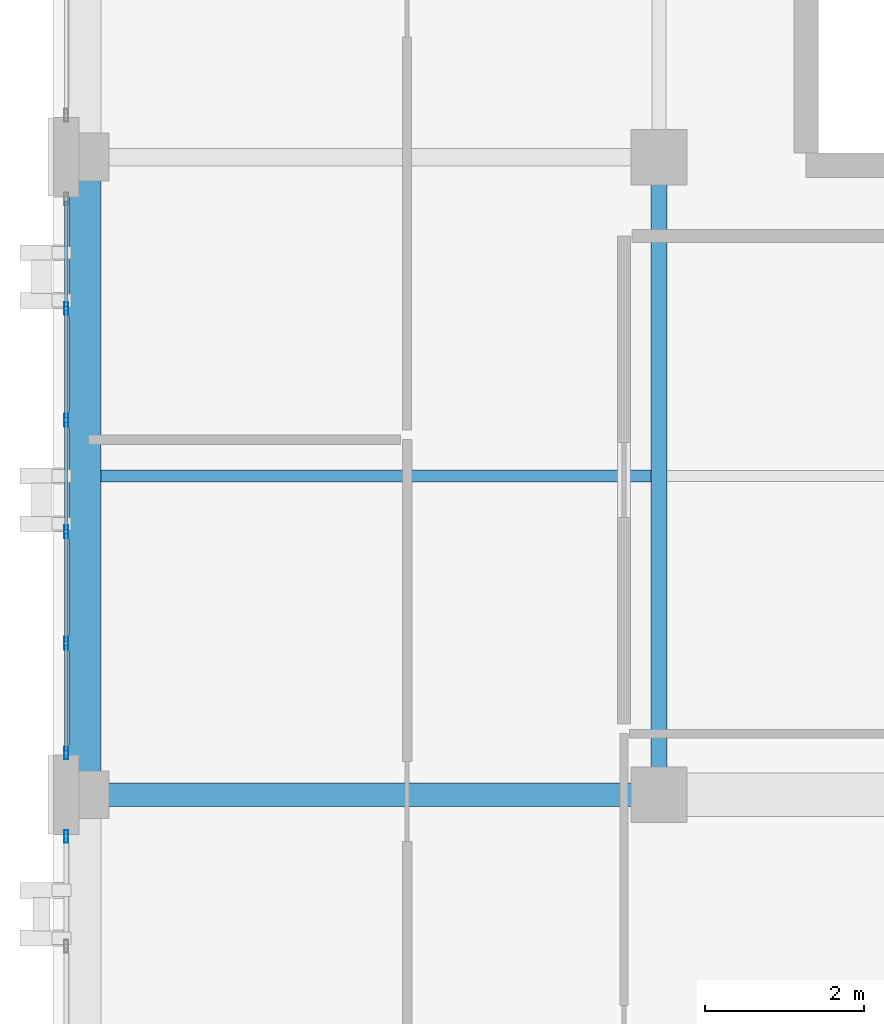
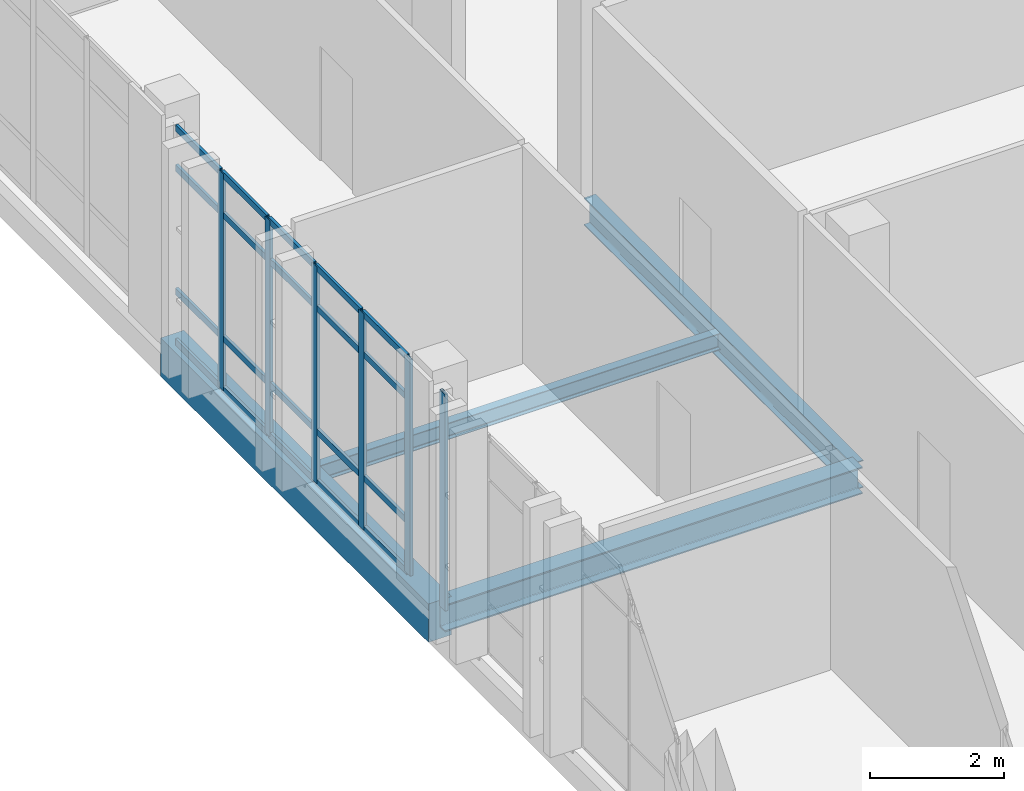
# One storey, part 8 of 19: 26 members, 4 beams, 2 elements without a shape of their own.
"""IFC4 building model written with IfcOpenShell, lengths in metres."""

import ifcopenshell
import ifcopenshell.guid

model = None  # the IFC model being written
_history = None  # IfcOwnerHistory: only IFC2X3 demands one
_inside = {}  # id of a spatial element -> (the spatial element, [elements in it])
_under = {}  # id of a project, library or spatial element -> (it, [spatial elements below it])
_declared = {}  # id of a project -> (the project, [libraries it declares])
_typed = {}  # id of a type object -> (the type object, [elements of that type])
_made_of = {}  # id of a material, layer set ... -> (it, [elements and type objects made of it])


def new_model(schema):
    """Start an empty IFC model of exactly this schema.

    Asked for "IFC4X3", IfcOpenShell would pick the latest addendum, in which some entities
    have other attributes; the version numbers below select the first issue.
    IFC2X3 requires an IfcOwnerHistory on every rooted entity: one is made here for all.
    """
    global model, _history
    if schema == "IFC4X3":
        model = ifcopenshell.file(schema_version=(4, 3, 0, 0))
    else:
        model = ifcopenshell.file(schema=schema)
    _inside.clear()
    _under.clear()
    _declared.clear()
    _typed.clear()
    _made_of.clear()
    _history = None
    if model.schema == "IFC2X3":
        org = make("IfcOrganization", Name="unknown")
        user = make(
            "IfcPersonAndOrganization",
            ThePerson=make("IfcPerson", FamilyName="unknown"),
            TheOrganization=org,
        )
        app = make(
            "IfcApplication",
            ApplicationDeveloper=org,
            Version="unknown",
            ApplicationFullName="unknown",
            ApplicationIdentifier="unknown",
        )
        _history = make(
            "IfcOwnerHistory",
            OwningUser=user,
            OwningApplication=app,
            ChangeAction="ADDED",
            CreationDate=0,
        )
    return model


def make(cls, **values):
    """One entity of the class cls with the attributes given. An attribute that is None is left unset."""
    return model.create_entity(
        cls, **{name: value for name, value in values.items() if value is not None}
    )


def rooted(cls, **values):
    """An entity with a GlobalId (a new one), such as an element, a storey or a relation."""
    return make(cls, GlobalId=ifcopenshell.guid.new(), OwnerHistory=_history, **values)


def si_unit(unit_type, name, prefix=None):
    """IfcSIUnit, for example si_unit("LENGTHUNIT", "METRE", prefix="MILLI")."""
    return make("IfcSIUnit", UnitType=unit_type, Prefix=prefix, Name=name)


def assignment(units):
    """IfcUnitAssignment: the units of a project."""
    return None if units is None else make("IfcUnitAssignment", Units=units)


def point(xyz):
    """IfcCartesianPoint."""
    return None if xyz is None else make("IfcCartesianPoint", Coordinates=xyz)


def direction(xyz):
    """IfcDirection."""
    return None if xyz is None else make("IfcDirection", DirectionRatios=xyz)


def frame(location, z_axis=None, x_axis=None):
    """IfcAxis2Placement3D, a coordinate frame: its origin and axes. An axis left out is left unset."""
    return make(
        "IfcAxis2Placement3D",
        Location=point(location),
        Axis=direction(z_axis),
        RefDirection=direction(x_axis),
    )


def frame_2d(location, x_axis=None):
    """IfcAxis2Placement2D, a coordinate frame in the plane: its origin and x axis."""
    return make(
        "IfcAxis2Placement2D", Location=point(location), RefDirection=direction(x_axis)
    )


def origin():
    """The frame at (0, 0, 0) with its axes left unset."""
    return frame((0.0, 0.0, 0.0))


def origin_2d():
    """The frame at (0, 0) in the plane with its x axis left unset."""
    return frame_2d((0.0, 0.0))


def place(relative_to, where):
    """IfcLocalPlacement: puts the frame where relative to a parent placement (None: the world)."""
    return make(
        "IfcLocalPlacement", PlacementRelTo=relative_to, RelativePlacement=where
    )


def context(
    kind, dimensions, precision=None, world=None, true_north=None, identifier=None
):
    """IfcGeometricRepresentationContext, for example the 3D "Model" context."""
    return make(
        "IfcGeometricRepresentationContext",
        ContextIdentifier=identifier,
        ContextType=kind,
        CoordinateSpaceDimension=dimensions,
        Precision=precision,
        WorldCoordinateSystem=world,
        TrueNorth=true_north,
    )


def subcontext(parent, identifier, kind, view, scale=None):
    """IfcGeometricRepresentationSubContext, for example "Body" below "Model"."""
    return make(
        "IfcGeometricRepresentationSubContext",
        ContextIdentifier=identifier,
        ContextType=kind,
        ParentContext=parent,
        TargetScale=scale,
        TargetView=view,
    )


def project(units=None, contexts=None):
    """IfcProject with its units and contexts."""
    return rooted(
        "IfcProject",
        Name="project",
        RepresentationContexts=contexts,
        UnitsInContext=assignment(units),
    )


def spatial(cls, under=None, at=None, **own):
    """A site, building, storey or space (cls), placed at a placement, below another one or the project."""
    s = rooted(cls, ObjectPlacement=at, **own)
    if under is not None:
        _under.setdefault(under.id(), (under, []))[1].append(s)
    return s


def profile(cls, at=None, kind="AREA", **sizes):
    """A parametric profile (cls). Its sizes go by their IFC names, for example OverallWidth=200.0."""
    return make(cls, ProfileType=kind, Position=at, **sizes)


def rectangle(**sizes):
    """IfcRectangleProfileDef."""
    return profile("IfcRectangleProfileDef", **sizes)


def hollow_rectangle(**sizes):
    """IfcRectangleHollowProfileDef."""
    return profile("IfcRectangleHollowProfileDef", **sizes)


def i_section(**sizes):
    """IfcIShapeProfileDef."""
    return profile("IfcIShapeProfileDef", **sizes)


def extrude(swept, where, along, depth):
    """IfcExtrudedAreaSolid: the profile swept, set in the frame where, extruded along a direction by depth."""
    return make(
        "IfcExtrudedAreaSolid",
        SweptArea=swept,
        Position=where,
        ExtrudedDirection=direction(along),
        Depth=depth,
    )


def shape(context_of_items, identifier, shape_type, items):
    """IfcShapeRepresentation: the items that make up one representation, for example the "Body"."""
    return make(
        "IfcShapeRepresentation",
        ContextOfItems=context_of_items,
        RepresentationIdentifier=identifier,
        RepresentationType=shape_type,
        Items=items,
    )


def material(Name=None, Category=None):
    """IfcMaterial."""
    return make("IfcMaterial", Name=Name, Category=Category)


def layer(
    of_material, thickness, ventilated=None, Name=None, Category=None, Priority=None
):
    """IfcMaterialLayer: one layer of a wall or slab, of a material (None: an air gap)."""
    return make(
        "IfcMaterialLayer",
        Material=of_material,
        LayerThickness=thickness,
        IsVentilated=ventilated,
        Name=Name,
        Category=Category,
        Priority=Priority,
    )


def layer_set(layers, Name=None):
    """IfcMaterialLayerSet."""
    return make("IfcMaterialLayerSet", MaterialLayers=layers, LayerSetName=Name)


def material_profile(
    of_material, cross_section, Name=None, Category=None, Priority=None
):
    """IfcMaterialProfile: a cross section and its material."""
    return make(
        "IfcMaterialProfile",
        Name=Name,
        Material=of_material,
        Profile=cross_section,
        Priority=Priority,
        Category=Category,
    )


def profile_set(profiles, Name=None, composite=None):
    """IfcMaterialProfileSet."""
    return make(
        "IfcMaterialProfileSet",
        Name=Name,
        MaterialProfiles=profiles,
        CompositeProfile=composite,
    )


def made_of(thing, what):
    """Note that an element or type object is made of a material, layer set ...; save() writes the relation."""
    if what is not None:
        _made_of.setdefault(what.id(), (what, []))[1].append(thing)
    return thing


def type_object(cls, material=None, **own):
    """A type object (cls), such as IfcWallType, which elements share."""
    return made_of(rooted(cls, **own), material)


def element(
    cls,
    number,
    at=None,
    inside=None,
    cuts=None,
    type_object=None,
    material=None,
    context=None,
    identifier="Body",
    shape_type=None,
    held_by="IfcProductDefinitionShape",
    body=None,
    shapes=None,
    **own,
):
    """One element of the class cls, such as IfcWall. Its Tag is "e" and its number.

    at: its placement. inside: the storey or other place that contains it. cuts: it is an
    opening in that element (IfcRelVoidsElement). A single representation is given by context,
    identifier, shape_type and body (its items); several are given by shapes. held_by: the class
    of the entity that holds the representations. save() writes the other relations.
    """
    e = rooted(cls, Tag="e%d" % number, ObjectPlacement=at, **own)
    if body is not None:
        shapes = [shape(context, identifier, shape_type, body)]
    if shapes is not None:
        e.Representation = make(held_by, Representations=shapes)
    if inside is not None:
        _inside.setdefault(inside.id(), (inside, []))[1].append(e)
    if cuts is not None:
        rooted(
            "IfcRelVoidsElement", RelatingBuildingElement=cuts, RelatedOpeningElement=e
        )
    if type_object is not None:
        _typed.setdefault(type_object.id(), (type_object, []))[1].append(e)
    return made_of(e, material)


def aggregate(whole, parts):
    """IfcRelAggregates: a whole, such as a stair, and the parts it consists of."""
    return rooted("IfcRelAggregates", RelatingObject=whole, RelatedObjects=parts)


def save(model, path):
    """Write the relations noted so far, then the file.

    IfcRelAggregates (storeys below a building ...), IfcRelContainedInSpatialStructure (elements
    in a storey), IfcRelDefinesByType, IfcRelAssociatesMaterial and IfcRelDeclares: one each for
    every whole, place, type object, material and project.
    """
    for whole, parts in _under.values():
        aggregate(whole, parts)
    for where, things in _inside.values():
        rooted(
            "IfcRelContainedInSpatialStructure",
            RelatedElements=things,
            RelatingStructure=where,
        )
    for kind, things in _typed.values():
        rooted("IfcRelDefinesByType", RelatedObjects=things, RelatingType=kind)
    for what, things in _made_of.values():
        rooted("IfcRelAssociatesMaterial", RelatedObjects=things, RelatingMaterial=what)
    for by, libraries in _declared.values():
        rooted("IfcRelDeclares", RelatingContext=by, RelatedDefinitions=libraries)
    model.write(path)


model = new_model("IFC4")

# Units and contexts
model_context = context("Model", 3, precision=1e-05, world=origin(), true_north=direction((0.0, 1.0)))
body_context = subcontext(model_context, "Body", "Model", "MODEL_VIEW")
ifc_project = project(units=[si_unit("LENGTHUNIT", "METRE"), si_unit("AREAUNIT", "SQUARE_METRE"), si_unit("VOLUMEUNIT", "CUBIC_METRE"), si_unit("PLANEANGLEUNIT", "RADIAN"), si_unit("MASSUNIT", "GRAM", prefix="KILO")], contexts=[model_context])

# Site, building, storey
site_placement = place(None, origin())
site = spatial("IfcSite", under=ifc_project, at=site_placement, CompositionType="ELEMENT")
building_placement = place(site_placement, origin())
building = spatial("IfcBuilding", under=site, at=building_placement, Name="Qalavern Law Courts", CompositionType="ELEMENT")
storey_placement = place(building_placement, frame((0.0, 0.0, 39.60009765625)))
storey = spatial("IfcBuildingStorey", under=building, at=storey_placement, Name="L09", CompositionType="ELEMENT", Elevation=39.60009765625)

# Curtain wall, members
ifc_material_1 = material(Name="Anodised aluminium and insulated glazing", Category="aluminium")
ifc_layer = layer(ifc_material_1, 0.159912109375)
ifc_layer_set = layer_set([ifc_layer], Name="Anodised aluminium and insulated glazing")
curtain_wall_type = type_object("IfcCurtainWallType", Name="ENV-CW-CHAMB", PredefinedType="USERDEFINED", material=ifc_layer_set)
curtain_wall_1_placement = place(storey_placement, origin())
curtain_wall_1 = element("IfcCurtainWall", 1, at=curtain_wall_1_placement, inside=storey, type_object=curtain_wall_type, Name="V4 unitised curtain wall L09 west 2", ObjectType="UNITISED CURTAIN WALL", PredefinedType="USERDEFINED")
ifc_material_2 = material(Name="Anodised aluminium", Category="aluminium")
ifc_material_profile_1 = material_profile(ifc_material_2, hollow_rectangle(XDim=0.048095703125, YDim=0.159912109375, WallThickness=0.00390625, at=origin_2d()), Name="ALU MULLION 48x160")
ifc_profile_set_1 = profile_set([ifc_material_profile_1], Name="Anodised aluminium")
member_type_1 = type_object("IfcMemberType", Name="ENV-CWM-48x160", PredefinedType="MULLION", material=ifc_profile_set_1)
member_1_placement = place(storey_placement, frame((84.362548828125, 63.5, 0.0), z_axis=(0.0, 0.0, 1.0), x_axis=(1.0, 0.0, 0.0)))
member_1 = element("IfcMember", 2, at=member_1_placement, type_object=member_type_1, Name="CW-04 mullion 2", PredefinedType="MULLION", context=body_context, shape_type="SweptSolid", body=[
    extrude(hollow_rectangle(XDim=0.048095703125, YDim=0.159912109375, WallThickness=0.00390625, at=origin_2d()), origin(), (0.0, 0.0, 1.0), 3.949951171875),
])
member_2_placement = place(storey_placement, frame((84.362548828125, 62.10009765625, 0.0), z_axis=(0.0, 0.0, 1.0), x_axis=(1.0, 0.0, 0.0)))
member_2 = element("IfcMember", 3, at=member_2_placement, type_object=member_type_1, Name="CW-04 mullion 3", PredefinedType="MULLION", context=body_context, shape_type="SweptSolid", body=[
    extrude(hollow_rectangle(XDim=0.048095703125, YDim=0.159912109375, WallThickness=0.00390625, at=origin_2d()), origin(), (0.0, 0.0, 1.0), 3.949951171875),
])
member_3_placement = place(storey_placement, frame((84.362548828125, 60.699951171875, 0.0), z_axis=(0.0, 0.0, 1.0), x_axis=(1.0, 0.0, 0.0)))
member_3 = element("IfcMember", 4, at=member_3_placement, type_object=member_type_1, Name="CW-04 mullion 4", PredefinedType="MULLION", context=body_context, shape_type="SweptSolid", body=[
    extrude(hollow_rectangle(XDim=0.048095703125, YDim=0.159912109375, WallThickness=0.00390625, at=origin_2d()), origin(), (0.0, 0.0, 1.0), 3.949951171875),
])
member_4_placement = place(storey_placement, frame((84.362548828125, 59.300048828125, 0.0), z_axis=(0.0, 0.0, 1.0), x_axis=(1.0, 0.0, 0.0)))
member_4 = element("IfcMember", 5, at=member_4_placement, type_object=member_type_1, Name="CW-04 mullion 5", PredefinedType="MULLION", context=body_context, shape_type="SweptSolid", body=[
    extrude(hollow_rectangle(XDim=0.048095703125, YDim=0.159912109375, WallThickness=0.00390625, at=origin_2d()), origin(), (0.0, 0.0, 1.0), 3.949951171875),
])
member_5_placement = place(storey_placement, frame((84.362548828125, 57.924072265625, 0.0), z_axis=(0.0, 0.0, 1.0), x_axis=(1.0, 0.0, 0.0)))
member_5 = element("IfcMember", 6, at=member_5_placement, type_object=member_type_1, Name="CW-04 mullion 6", PredefinedType="MULLION", context=body_context, shape_type="SweptSolid", body=[
    extrude(hollow_rectangle(XDim=0.048095703125, YDim=0.159912109375, WallThickness=0.00390625, at=origin_2d()), origin(), (0.0, 0.0, 1.0), 3.949951171875),
])

# Curtain wall, member
curtain_wall_2_placement = place(storey_placement, origin())
curtain_wall_2 = element("IfcCurtainWall", 7, at=curtain_wall_2_placement, inside=storey, type_object=curtain_wall_type, Name="V4 unitised curtain wall L09 west 3", ObjectType="UNITISED CURTAIN WALL", PredefinedType="USERDEFINED")
member_6_placement = place(storey_placement, frame((84.362548828125, 56.8759765625, 0.0), z_axis=(0.0, 0.0, 1.0), x_axis=(1.0, 0.0, 0.0)))
member_6 = element("IfcMember", 8, at=member_6_placement, type_object=member_type_1, Name="CW-04 mullion 1", PredefinedType="MULLION", context=body_context, shape_type="SweptSolid", body=[
    extrude(hollow_rectangle(XDim=0.048095703125, YDim=0.159912109375, WallThickness=0.00390625, at=origin_2d()), origin(), (0.0, 0.0, 1.0), 3.949951171875),
])
aggregate(curtain_wall_2, [member_6])

# Member
ifc_material_profile_2 = material_profile(ifc_material_2, hollow_rectangle(XDim=0.048095703125, YDim=0.1201171875, WallThickness=0.00390625, at=origin_2d()), Name="ALU TRANSOM 48x120")
ifc_profile_set_2 = profile_set([ifc_material_profile_2], Name="Anodised aluminium")
member_type_2 = type_object("IfcMemberType", Name="ENV-CWT-48x120", PredefinedType="USERDEFINED", material=ifc_profile_set_2)
member_7_placement = place(storey_placement, frame((84.362548828125, 64.85205078125, 0.02392578125), z_axis=(0.0, -1.0, 0.0), x_axis=(1.0, 0.0, 0.0)))
member_7 = element("IfcMember", 9, at=member_7_placement, type_object=member_type_2, Name="CW-04 transom 1.1", ObjectType="TRANSOM", PredefinedType="USERDEFINED", context=body_context, shape_type="SweptSolid", body=[
    extrude(hollow_rectangle(XDim=0.048095703125, YDim=0.1201171875, WallThickness=0.00390625, at=origin_2d()), origin(), (0.0, 0.0, 1.0), 1.328125),
])

member_8_placement = place(storey_placement, frame((84.362548828125, 64.85205078125, 0.949951171875), z_axis=(0.0, -1.0, 0.0), x_axis=(1.0, 0.0, 0.0)))
member_8 = element("IfcMember", 10, at=member_8_placement, type_object=member_type_2, Name="CW-04 transom 1.2", ObjectType="TRANSOM", PredefinedType="USERDEFINED", context=body_context, shape_type="SweptSolid", body=[
    extrude(hollow_rectangle(XDim=0.048095703125, YDim=0.1201171875, WallThickness=0.00390625, at=origin_2d()), origin(), (0.0, 0.0, 1.0), 1.328125),
])

member_9_placement = place(storey_placement, frame((84.362548828125, 64.85205078125, 3.199951171875), z_axis=(0.0, -1.0, 0.0), x_axis=(1.0, 0.0, 0.0)))
member_9 = element("IfcMember", 11, at=member_9_placement, type_object=member_type_2, Name="CW-04 transom 1.3", ObjectType="TRANSOM", PredefinedType="USERDEFINED", context=body_context, shape_type="SweptSolid", body=[
    extrude(hollow_rectangle(XDim=0.048095703125, YDim=0.1201171875, WallThickness=0.00390625, at=origin_2d()), origin(), (0.0, 0.0, 1.0), 1.328125),
])

member_10_placement = place(storey_placement, frame((84.362548828125, 64.85205078125, 3.92578125), z_axis=(0.0, -1.0, 0.0), x_axis=(1.0, 0.0, 0.0)))
member_10 = element("IfcMember", 12, at=member_10_placement, type_object=member_type_2, Name="CW-04 transom 1.4", ObjectType="TRANSOM", PredefinedType="USERDEFINED", context=body_context, shape_type="SweptSolid", body=[
    extrude(hollow_rectangle(XDim=0.048095703125, YDim=0.1201171875, WallThickness=0.00390625, at=origin_2d()), origin(), (0.0, 0.0, 1.0), 1.328125),
])

member_11_placement = place(storey_placement, frame((84.362548828125, 63.47607421875, 0.02392578125), z_axis=(0.0, -1.0, 0.0), x_axis=(1.0, 0.0, 0.0)))
member_11 = element("IfcMember", 13, at=member_11_placement, type_object=member_type_2, Name="CW-04 transom 2.1", ObjectType="TRANSOM", PredefinedType="USERDEFINED", context=body_context, shape_type="SweptSolid", body=[
    extrude(hollow_rectangle(XDim=0.048095703125, YDim=0.1201171875, WallThickness=0.00390625, at=origin_2d()), origin(), (0.0, 0.0, 1.0), 1.35205078125),
])

member_12_placement = place(storey_placement, frame((84.362548828125, 63.47607421875, 0.949951171875), z_axis=(0.0, -1.0, 0.0), x_axis=(1.0, 0.0, 0.0)))
member_12 = element("IfcMember", 14, at=member_12_placement, type_object=member_type_2, Name="CW-04 transom 2.2", ObjectType="TRANSOM", PredefinedType="USERDEFINED", context=body_context, shape_type="SweptSolid", body=[
    extrude(hollow_rectangle(XDim=0.048095703125, YDim=0.1201171875, WallThickness=0.00390625, at=origin_2d()), origin(), (0.0, 0.0, 1.0), 1.35205078125),
])

member_13_placement = place(storey_placement, frame((84.362548828125, 63.47607421875, 3.199951171875), z_axis=(0.0, -1.0, 0.0), x_axis=(1.0, 0.0, 0.0)))
member_13 = element("IfcMember", 15, at=member_13_placement, type_object=member_type_2, Name="CW-04 transom 2.3", ObjectType="TRANSOM", PredefinedType="USERDEFINED", context=body_context, shape_type="SweptSolid", body=[
    extrude(hollow_rectangle(XDim=0.048095703125, YDim=0.1201171875, WallThickness=0.00390625, at=origin_2d()), origin(), (0.0, 0.0, 1.0), 1.35205078125),
])

member_14_placement = place(storey_placement, frame((84.362548828125, 63.47607421875, 3.92578125), z_axis=(0.0, -1.0, 0.0), x_axis=(1.0, 0.0, 0.0)))
member_14 = element("IfcMember", 16, at=member_14_placement, type_object=member_type_2, Name="CW-04 transom 2.4", ObjectType="TRANSOM", PredefinedType="USERDEFINED", context=body_context, shape_type="SweptSolid", body=[
    extrude(hollow_rectangle(XDim=0.048095703125, YDim=0.1201171875, WallThickness=0.00390625, at=origin_2d()), origin(), (0.0, 0.0, 1.0), 1.35205078125),
])

member_15_placement = place(storey_placement, frame((84.362548828125, 62.075927734375, 0.02392578125), z_axis=(0.0, -1.0, 0.0), x_axis=(1.0, 0.0, 0.0)))
member_15 = element("IfcMember", 17, at=member_15_placement, type_object=member_type_2, Name="CW-04 transom 3.1", ObjectType="TRANSOM", PredefinedType="USERDEFINED", context=body_context, shape_type="SweptSolid", body=[
    extrude(hollow_rectangle(XDim=0.048095703125, YDim=0.1201171875, WallThickness=0.00390625, at=origin_2d()), origin(), (0.0, 0.0, 1.0), 1.351806640625),
])

member_16_placement = place(storey_placement, frame((84.362548828125, 62.075927734375, 0.949951171875), z_axis=(0.0, -1.0, 0.0), x_axis=(1.0, 0.0, 0.0)))
member_16 = element("IfcMember", 18, at=member_16_placement, type_object=member_type_2, Name="CW-04 transom 3.2", ObjectType="TRANSOM", PredefinedType="USERDEFINED", context=body_context, shape_type="SweptSolid", body=[
    extrude(hollow_rectangle(XDim=0.048095703125, YDim=0.1201171875, WallThickness=0.00390625, at=origin_2d()), origin(), (0.0, 0.0, 1.0), 1.351806640625),
])

member_17_placement = place(storey_placement, frame((84.362548828125, 62.075927734375, 3.199951171875), z_axis=(0.0, -1.0, 0.0), x_axis=(1.0, 0.0, 0.0)))
member_17 = element("IfcMember", 19, at=member_17_placement, type_object=member_type_2, Name="CW-04 transom 3.3", ObjectType="TRANSOM", PredefinedType="USERDEFINED", context=body_context, shape_type="SweptSolid", body=[
    extrude(hollow_rectangle(XDim=0.048095703125, YDim=0.1201171875, WallThickness=0.00390625, at=origin_2d()), origin(), (0.0, 0.0, 1.0), 1.351806640625),
])

member_18_placement = place(storey_placement, frame((84.362548828125, 62.075927734375, 3.92578125), z_axis=(0.0, -1.0, 0.0), x_axis=(1.0, 0.0, 0.0)))
member_18 = element("IfcMember", 20, at=member_18_placement, type_object=member_type_2, Name="CW-04 transom 3.4", ObjectType="TRANSOM", PredefinedType="USERDEFINED", context=body_context, shape_type="SweptSolid", body=[
    extrude(hollow_rectangle(XDim=0.048095703125, YDim=0.1201171875, WallThickness=0.00390625, at=origin_2d()), origin(), (0.0, 0.0, 1.0), 1.351806640625),
])

member_19_placement = place(storey_placement, frame((84.362548828125, 60.676025390625, 0.02392578125), z_axis=(0.0, -1.0, 0.0), x_axis=(1.0, 0.0, 0.0)))
member_19 = element("IfcMember", 21, at=member_19_placement, type_object=member_type_2, Name="CW-04 transom 4.1", ObjectType="TRANSOM", PredefinedType="USERDEFINED", context=body_context, shape_type="SweptSolid", body=[
    extrude(hollow_rectangle(XDim=0.048095703125, YDim=0.1201171875, WallThickness=0.00390625, at=origin_2d()), origin(), (0.0, 0.0, 1.0), 1.35205078125),
])

member_20_placement = place(storey_placement, frame((84.362548828125, 60.676025390625, 0.949951171875), z_axis=(0.0, -1.0, 0.0), x_axis=(1.0, 0.0, 0.0)))
member_20 = element("IfcMember", 22, at=member_20_placement, type_object=member_type_2, Name="CW-04 transom 4.2", ObjectType="TRANSOM", PredefinedType="USERDEFINED", context=body_context, shape_type="SweptSolid", body=[
    extrude(hollow_rectangle(XDim=0.048095703125, YDim=0.1201171875, WallThickness=0.00390625, at=origin_2d()), origin(), (0.0, 0.0, 1.0), 1.35205078125),
])

member_21_placement = place(storey_placement, frame((84.362548828125, 60.676025390625, 3.199951171875), z_axis=(0.0, -1.0, 0.0), x_axis=(1.0, 0.0, 0.0)))
member_21 = element("IfcMember", 23, at=member_21_placement, type_object=member_type_2, Name="CW-04 transom 4.3", ObjectType="TRANSOM", PredefinedType="USERDEFINED", context=body_context, shape_type="SweptSolid", body=[
    extrude(hollow_rectangle(XDim=0.048095703125, YDim=0.1201171875, WallThickness=0.00390625, at=origin_2d()), origin(), (0.0, 0.0, 1.0), 1.35205078125),
])

member_22_placement = place(storey_placement, frame((84.362548828125, 60.676025390625, 3.92578125), z_axis=(0.0, -1.0, 0.0), x_axis=(1.0, 0.0, 0.0)))
member_22 = element("IfcMember", 24, at=member_22_placement, type_object=member_type_2, Name="CW-04 transom 4.4", ObjectType="TRANSOM", PredefinedType="USERDEFINED", context=body_context, shape_type="SweptSolid", body=[
    extrude(hollow_rectangle(XDim=0.048095703125, YDim=0.1201171875, WallThickness=0.00390625, at=origin_2d()), origin(), (0.0, 0.0, 1.0), 1.35205078125),
])

member_23_placement = place(storey_placement, frame((84.362548828125, 59.27587890625, 0.02392578125), z_axis=(0.0, -1.0, 0.0), x_axis=(1.0, 0.0, 0.0)))
member_23 = element("IfcMember", 25, at=member_23_placement, type_object=member_type_2, Name="CW-04 transom 5.1", ObjectType="TRANSOM", PredefinedType="USERDEFINED", context=body_context, shape_type="SweptSolid", body=[
    extrude(hollow_rectangle(XDim=0.048095703125, YDim=0.1201171875, WallThickness=0.00390625, at=origin_2d()), origin(), (0.0, 0.0, 1.0), 1.327880859375),
])

member_24_placement = place(storey_placement, frame((84.362548828125, 59.27587890625, 0.949951171875), z_axis=(0.0, -1.0, 0.0), x_axis=(1.0, 0.0, 0.0)))
member_24 = element("IfcMember", 26, at=member_24_placement, type_object=member_type_2, Name="CW-04 transom 5.2", ObjectType="TRANSOM", PredefinedType="USERDEFINED", context=body_context, shape_type="SweptSolid", body=[
    extrude(hollow_rectangle(XDim=0.048095703125, YDim=0.1201171875, WallThickness=0.00390625, at=origin_2d()), origin(), (0.0, 0.0, 1.0), 1.327880859375),
])

member_25_placement = place(storey_placement, frame((84.362548828125, 59.27587890625, 3.199951171875), z_axis=(0.0, -1.0, 0.0), x_axis=(1.0, 0.0, 0.0)))
member_25 = element("IfcMember", 27, at=member_25_placement, type_object=member_type_2, Name="CW-04 transom 5.3", ObjectType="TRANSOM", PredefinedType="USERDEFINED", context=body_context, shape_type="SweptSolid", body=[
    extrude(hollow_rectangle(XDim=0.048095703125, YDim=0.1201171875, WallThickness=0.00390625, at=origin_2d()), origin(), (0.0, 0.0, 1.0), 1.327880859375),
])

member_26_placement = place(storey_placement, frame((84.362548828125, 59.27587890625, 3.92578125), z_axis=(0.0, -1.0, 0.0), x_axis=(1.0, 0.0, 0.0)))
member_26 = element("IfcMember", 28, at=member_26_placement, type_object=member_type_2, Name="CW-04 transom 5.4", ObjectType="TRANSOM", PredefinedType="USERDEFINED", context=body_context, shape_type="SweptSolid", body=[
    extrude(hollow_rectangle(XDim=0.048095703125, YDim=0.1201171875, WallThickness=0.00390625, at=origin_2d()), origin(), (0.0, 0.0, 1.0), 1.327880859375),
])

aggregate(curtain_wall_1, [member_1, member_2, member_3, member_4, member_5, member_7, member_8, member_9, member_10, member_11, member_12, member_13, member_14, member_15, member_16, member_17, member_18, member_19, member_20, member_21, member_22, member_23, member_24, member_25, member_26])

# Beams
ifc_material_3 = material(Name="Steel S355", Category="steel")
ifc_material_profile_3 = material_profile(ifc_material_3, i_section(OverallWidth=0.300048828125, OverallDepth=0.489990234375, WebThickness=0.011962890625, FlangeThickness=0.02294921875, FilletRadius=0.027099609375, at=origin_2d()), Name="HEA 500")
ifc_profile_set_3 = profile_set([ifc_material_profile_3], Name="Steel S355")
beam_type_1 = type_object("IfcBeamType", Name="STR-BM-HEA500", PredefinedType="BEAM", material=ifc_profile_set_3)
beam_1_placement = place(storey_placement, frame((84.60009765625, 57.39990234375, -0.5), z_axis=(1.0, 0.0, 0.0), x_axis=(0.0, 1.0, 0.0)))
element("IfcBeam", 29, at=beam_1_placement, inside=storey, type_object=beam_type_1, Name="V4 X-beam 3-1 L09", PredefinedType="BEAM", context=body_context, shape_type="SweptSolid", body=[
    extrude(i_section(OverallWidth=0.300048828125, OverallDepth=0.489990234375, WebThickness=0.011962890625, FlangeThickness=0.02294921875, FilletRadius=0.027099609375, at=origin_2d()), origin(), (0.0, 0.0, 1.0), 7.199951171875),
])
ifc_material_profile_4 = material_profile(ifc_material_3, i_section(OverallWidth=0.199951171875, OverallDepth=0.5, WebThickness=0.01025390625, FlangeThickness=0.01611328125, FilletRadius=0.02099609375, at=origin_2d()), Name="IPE 500")
ifc_profile_set_4 = profile_set([ifc_material_profile_4], Name="Steel S355")
beam_type_2 = type_object("IfcBeamType", Name="STR-BM-IPE500", PredefinedType="BEAM", material=ifc_profile_set_4)
beam_2_placement = place(storey_placement, frame((91.800048828125, 57.39990234375, -0.505126953125), z_axis=(0.0, 1.0, 0.0), x_axis=(-1.0, 0.0, 0.0)))
element("IfcBeam", 30, at=beam_2_placement, inside=storey, type_object=beam_type_2, Name="V4 Y-beam 2-2 L09", PredefinedType="BEAM", context=body_context, shape_type="SweptSolid", body=[
    extrude(i_section(OverallWidth=0.199951171875, OverallDepth=0.5, WebThickness=0.01025390625, FlangeThickness=0.01611328125, FilletRadius=0.02099609375, at=origin_2d()), origin(), (0.0, 0.0, 1.0), 8.0),
])
ifc_material_profile_5 = material_profile(ifc_material_3, i_section(OverallWidth=0.14990234375, OverallDepth=0.300048828125, WebThickness=0.007080078125, FlangeThickness=0.0107421875, FilletRadius=0.014892578125, at=origin_2d()), Name="IPE 300")
ifc_profile_set_5 = profile_set([ifc_material_profile_5], Name="Steel S355")
beam_type_3 = type_object("IfcBeamType", Name="STR-JST-IPE300", PredefinedType="JOIST", material=ifc_profile_set_5)
beam_3_placement = place(storey_placement, frame((84.798095703125, 61.39990234375, -0.405029296875), z_axis=(1.0, 0.0, 0.0), x_axis=(0.0, 1.0, 0.0)))
element("IfcBeam", 31, at=beam_3_placement, inside=storey, type_object=beam_type_3, Name="V4 secondary joist 1.3.1 L09", PredefinedType="JOIST", context=body_context, shape_type="SweptSolid", body=[
    extrude(i_section(OverallWidth=0.14990234375, OverallDepth=0.300048828125, WebThickness=0.007080078125, FlangeThickness=0.0107421875, FilletRadius=0.014892578125, at=origin_2d()), origin(), (0.0, 0.0, 1.0), 6.90380859375),
])
ifc_material_4 = material(Name="Concrete C40/50", Category="concrete")
ifc_material_profile_6 = material_profile(ifc_material_4, rectangle(XDim=0.39990234375, YDim=0.699951171875, at=origin_2d()), Name="RC 400x700")
ifc_profile_set_6 = profile_set([ifc_material_profile_6], Name="Concrete C40/50")
beam_type_4 = type_object("IfcBeamType", Name="STR-SP-RC400x700", PredefinedType="SPANDREL", material=ifc_profile_set_6)
beam_4_placement = place(storey_placement, frame((84.60009765625, 57.39990234375, -0.60498046875), z_axis=(0.0, 1.0, 0.0), x_axis=(-1.0, 0.0, 0.0)))
element("IfcBeam", 32, at=beam_4_placement, inside=storey, type_object=beam_type_4, Name="V4 Y-beam 1-3 L09", PredefinedType="SPANDREL", context=body_context, shape_type="SweptSolid", body=[
    extrude(rectangle(XDim=0.39990234375, YDim=0.699951171875, at=origin_2d()), origin(), (0.0, 0.0, 1.0), 8.0),
])

save(model, "model.ifc")
